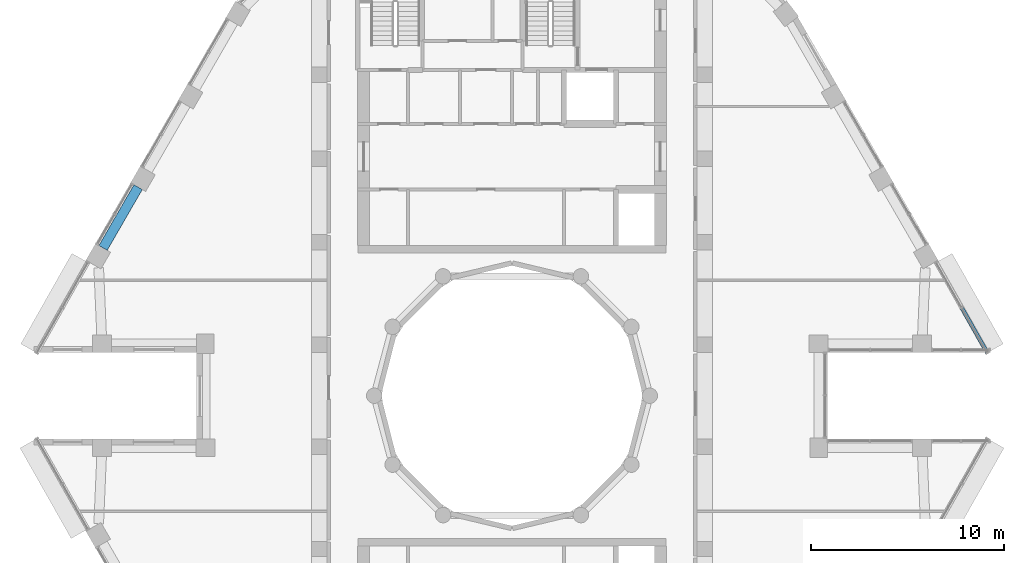
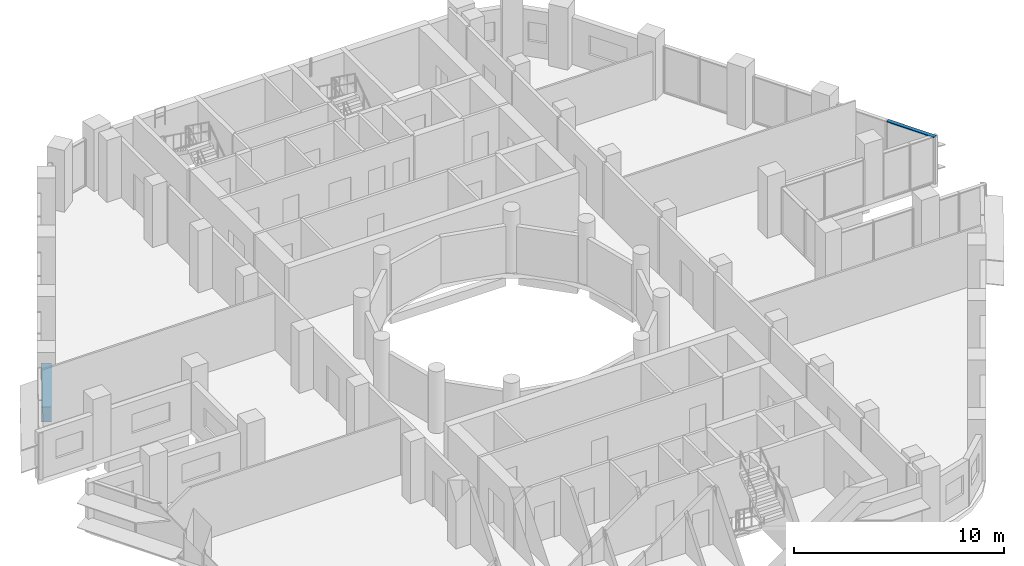
# One storey, part 5 of 16: 1 beam, 1 member, 1 element without a shape of its own.
"""IFC4 building model written with IfcOpenShell, lengths in metres."""

from ifc_helpers import new_model, si_unit, direction, frame, origin, origin_2d, place, context, subcontext, project, spatial, rectangle, extrude, material, layer, layer_set, material_profile, profile_set, type_object, element, aggregate, save


model = new_model("IFC4")

# Units and contexts
model_context = context("Model", 3, precision=1e-05, world=origin(), true_north=direction((0.0, 1.0)))
body_context = subcontext(model_context, "Body", "Model", "MODEL_VIEW")
ifc_project = project(units=[si_unit("LENGTHUNIT", "METRE"), si_unit("AREAUNIT", "SQUARE_METRE"), si_unit("VOLUMEUNIT", "CUBIC_METRE"), si_unit("PLANEANGLEUNIT", "RADIAN"), si_unit("MASSUNIT", "GRAM", prefix="KILO")], contexts=[model_context])

# Site, building, storey
site_placement = place(None, origin())
site = spatial("IfcSite", under=ifc_project, at=site_placement, CompositionType="ELEMENT")
building_placement = place(site_placement, origin())
building = spatial("IfcBuilding", under=site, at=building_placement, Name="Nakaniwa Court", CompositionType="ELEMENT")
storey_placement = place(building_placement, frame((0.0, 0.0, 272.39990234375)))
storey = spatial("IfcBuildingStorey", under=building, at=storey_placement, Name="C01", CompositionType="ELEMENT", Elevation=272.39990234375)

# Beam
ifc_material_1 = material(Name="Concrete C80/100", Category="concrete")
ifc_material_profile_1 = material_profile(ifc_material_1, rectangle(XDim=0.5, YDim=0.89990234375, at=origin_2d()), Name="Concrete C80/100 RC 500x900 spandrel beam")
ifc_profile_set_1 = profile_set([ifc_material_profile_1], Name="Concrete C80/100")
beam_type = type_object("IfcBeamType", Name="Concrete C80/100 RC 500x900 spandrel beam", PredefinedType="BEAM", material=ifc_profile_set_1)
beam_placement = place(storey_placement, frame((60.610595703125, 90.816650390625, -0.724853515625), z_axis=(-0.500028315034, -0.866009055475, 0.0), x_axis=(0.866009055475, -0.500028315034, 0.0)))
element("IfcBeam", 1, at=beam_placement, inside=storey, type_object=beam_type, Name="SPANDREL BEAM", PredefinedType="BEAM", context=body_context, shape_type="SweptSolid", body=[
    extrude(rectangle(XDim=0.5, YDim=0.89990234375, at=origin_2d()), origin(), (0.0, 0.0, 1.0), 3.638916015625),
])

# Curtain wall, member
ifc_material_2 = material(Name="Black anodised aluminium frame with dark low-E laminated double glazing", Category="aluminium")
ifc_layer = layer(ifc_material_2, 0.199951171875)
ifc_layer_set = layer_set([ifc_layer], Name="Black anodised aluminium frame with dark low-E laminated double glazing")
curtain_wall_type = type_object("IfcCurtainWallType", Name="Crown curtain wall", PredefinedType="NOTDEFINED", material=ifc_layer_set)
curtain_wall_placement = place(storey_placement, origin())
curtain_wall = element("IfcCurtainWall", 2, at=curtain_wall_placement, inside=storey, type_object=curtain_wall_type, Name="C01 curtain wall CW4 02", PredefinedType="NOTDEFINED")
ifc_material_3 = material(Name="Black anodised aluminium extrusion", Category="aluminium")
ifc_material_profile_2 = material_profile(ifc_material_3, rectangle(XDim=0.199951171875, YDim=0.054931640625, at=origin_2d()), Name="Crown curtain wall transom 55x200")
ifc_profile_set_2 = profile_set([ifc_material_profile_2], Name="Black anodised aluminium extrusion")
member_type = type_object("IfcMemberType", Name="Crown curtain wall transom 55x200", PredefinedType="USERDEFINED", material=ifc_profile_set_2)
member_placement = place(storey_placement, frame((104.638671875, 82.234619140625, 2.697509765625), z_axis=(-0.492178871127, 0.870494088904, 0.0), x_axis=(-0.870494088904, -0.492178871127, 0.0)))
member = element("IfcMember", 3, at=member_placement, type_object=member_type, Name="CW4 transom 1.2", ObjectType="TRANSOM", PredefinedType="USERDEFINED", context=body_context, shape_type="SweptSolid", body=[
    extrude(rectangle(XDim=0.199951171875, YDim=0.054931640625, at=origin_2d()), origin(), (0.0, 0.0, 1.0), 2.64599609375),
])
aggregate(curtain_wall, [member])

save(model, "model.ifc")
